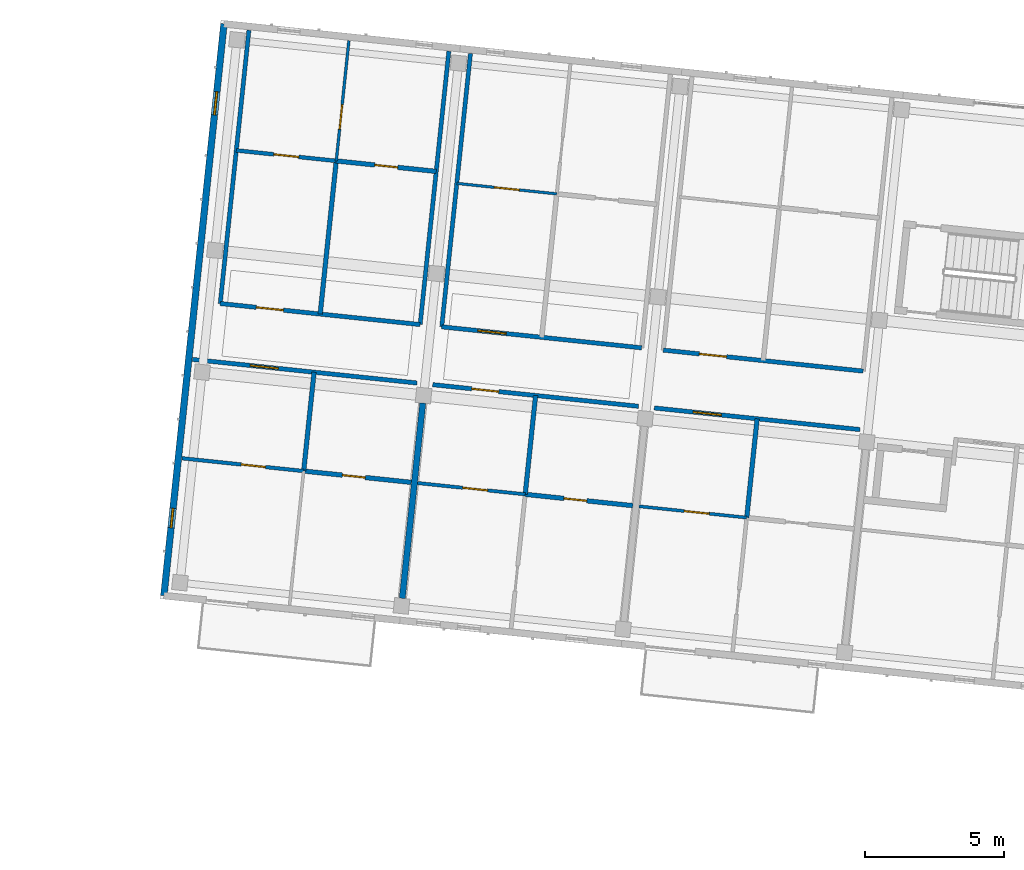
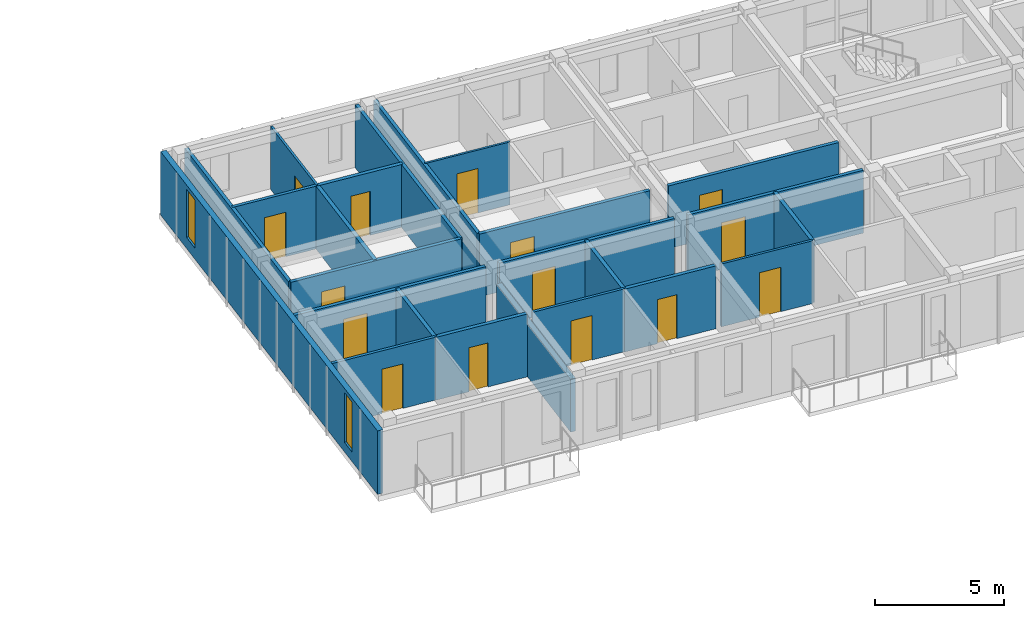
# One storey, part 32 of 66: 24 walls, 15 doors, 2 windows, 17 openings.
"""IFC4 building model written with IfcOpenShell, lengths in metres."""

from ifc_helpers import new_model, si_unit, direction, frame, frame_2d, origin, place, context, subcontext, project, spatial, rectangle, extrude, material, layer, layer_set, type_object, element, fill, save


model = new_model("IFC4")

# Units and contexts
model_context = context("Model", 3, precision=1e-05, world=origin(), true_north=direction((0.0, 1.0)))
body_context = subcontext(model_context, "Body", "Model", "MODEL_VIEW")
ifc_project = project(units=[si_unit("LENGTHUNIT", "METRE"), si_unit("AREAUNIT", "SQUARE_METRE"), si_unit("VOLUMEUNIT", "CUBIC_METRE"), si_unit("PLANEANGLEUNIT", "RADIAN"), si_unit("MASSUNIT", "GRAM", prefix="KILO")], contexts=[model_context])

# Site, building, storey
site_placement = place(None, origin())
site = spatial("IfcSite", under=ifc_project, at=site_placement, CompositionType="ELEMENT")
building_placement = place(site_placement, origin())
building = spatial("IfcBuilding", under=site, at=building_placement, Name="Kestramere Prow Commons", CompositionType="ELEMENT")
storey_placement = place(building_placement, frame((0.0, 0.0, 14.89990234375)))
storey = spatial("IfcBuildingStorey", under=building, at=storey_placement, Name="L04", CompositionType="ELEMENT", Elevation=14.89990234375)

# Wall, openings, windows
ifc_material_1 = material(Name="Fluoropolymer Standing-Seam Zinc-Aluminium Cladding", Category="aluminium")
ifc_layer_1 = layer(ifc_material_1, 0.239990234375)
ifc_layer_set_1 = layer_set([ifc_layer_1], Name="Fluoropolymer Standing-Seam Zinc-Aluminium Cladding")
wall_type_1 = type_object("IfcWallType", Name="EW-SEAM-240", PredefinedType="SOLIDWALL", material=ifc_layer_set_1)
wall_1_placement = place(storey_placement, frame((109.423095703125, 94.332763671875, 0.0), z_axis=(0.0, 0.0, 1.0), x_axis=(0.1045253859, 0.994522218808, 0.0)))
wall_1 = element("IfcWall", 1, at=wall_1_placement, inside=storey, type_object=wall_type_1, Name="Block B L04 EAV Facet Wall", PredefinedType="SOLIDWALL", context=body_context, shape_type="SweptSolid", body=[
    extrude(rectangle(XDim=20.64990234375, YDim=0.239990234375, at=frame_2d((10.324951171875, 0.0))), origin(), (0.0, 0.0, 1.0), 3.0),
])
opening_1_placement = place(wall_1_placement, frame((2.449951171875, 0.0, 0.449951171875)))
opening_1 = element("IfcOpeningElement", 2, at=opening_1_placement, cuts=wall_1, Name="Opening WN-07", PredefinedType="OPENING", context=body_context, shape_type="SweptSolid", body=[
    extrude(rectangle(XDim=0.699951171875, YDim=2.360107421875, at=frame_2d((0.35009765625, 1.18017578125))), frame((0.0, 0.135009765625, 0.0), z_axis=(0.0, -1.0, 0.0), x_axis=(1.0, 0.0, 0.0)), (0.0, 0.0, 1.0), 0.27001953125),
])
opening_2_placement = place(wall_1_placement, frame((17.360107421875, 0.0, 0.52001953125)))
opening_2 = element("IfcOpeningElement", 3, at=opening_2_placement, cuts=wall_1, Name="Opening WN-14", PredefinedType="OPENING", context=body_context, shape_type="SweptSolid", body=[
    extrude(rectangle(XDim=0.840087890625, YDim=2.280029296875, at=frame_2d((0.419921875, 1.14013671875))), frame((0.0, 0.135009765625, 0.0), z_axis=(0.0, -1.0, 0.0), x_axis=(1.0, 0.0, 0.0)), (0.0, 0.0, 1.0), 0.27001953125),
])
ifc_material_2 = material(Name="Low-E Laminated Double Glazing", Category="glass")
window_type_1 = type_object("IfcWindowType", Name="WN-NAR-700A", PartitioningType="SINGLE_PANEL", PredefinedType="WINDOW", material=ifc_material_2)
window_1_placement = place(opening_1_placement, origin())
window_1 = element("IfcWindow", 4, at=window_1_placement, inside=storey, type_object=window_type_1, Name="WN-B-L04-EAV-0", OverallHeight=2.360107421875, OverallWidth=0.699951171875, PartitioningType="SINGLE_PANEL", PredefinedType="WINDOW", context=body_context, shape_type="SweptSolid", body=[
    extrude(rectangle(XDim=0.699951171875, YDim=2.360107421875, at=frame_2d((0.35009765625, 1.18017578125))), frame((0.0, 0.030029296875, 0.0), z_axis=(0.0, -1.0, 0.0), x_axis=(1.0, 0.0, 0.0)), (0.0, 0.0, 1.0), 0.06005859375),
])
fill(opening_1, window_1)
window_type_2 = type_object("IfcWindowType", Name="WN-NAR-840A", PartitioningType="DOUBLE_PANEL_VERTICAL", PredefinedType="WINDOW", material=ifc_material_2)
window_2_placement = place(opening_2_placement, origin())
window_2 = element("IfcWindow", 5, at=window_2_placement, inside=storey, type_object=window_type_2, Name="WN-B-L04-EAV-1", OverallHeight=2.280029296875, OverallWidth=0.840087890625, PartitioningType="SINGLE_PANEL", PredefinedType="WINDOW", context=body_context, shape_type="SweptSolid", body=[
    extrude(rectangle(XDim=0.840087890625, YDim=2.280029296875, at=frame_2d((0.419921875, 1.14013671875))), frame((0.0, 0.030029296875, 0.0), z_axis=(0.0, -1.0, 0.0), x_axis=(1.0, 0.0, 0.0)), (0.0, 0.0, 1.0), 0.06005859375),
])
fill(opening_2, window_2)

# Wall, opening, door
ifc_material_3 = material(Name="Fire-Rated Calcium Silicate Wall")
ifc_layer_2 = layer(ifc_material_3, 0.155029296875)
ifc_layer_set_2 = layer_set([ifc_layer_2], Name="Fire-Rated Calcium Silicate Wall")
wall_type_2 = type_object("IfcWallType", Name="W-FIRE-150", PredefinedType="PARTITIONING", material=ifc_layer_set_2)
wall_2_placement = place(storey_placement, frame((110.445556640625, 102.8173828125, 0.0), z_axis=(0.0, 0.0, 1.0), x_axis=(0.994522594842, -0.104521808006, 0.0)))
wall_2 = element("IfcWall", 6, at=wall_2_placement, inside=storey, type_object=wall_type_2, Name="Interior Partition PW-B-L04-CS-0", PredefinedType="PARTITIONING", context=body_context, shape_type="SweptSolid", body=[
    extrude(rectangle(XDim=8.10986328125, YDim=0.155029296875, at=frame_2d((4.054931640625, 0.0))), origin(), (0.0, 0.0, 1.0), 2.97021484375),
])
opening_3_placement = place(wall_2_placement, frame((2.0849609375, 0.0, 0.0)))
opening_3 = element("IfcOpeningElement", 7, at=opening_3_placement, cuts=wall_2, Name="Opening ID-05", PredefinedType="OPENING", context=body_context, shape_type="SweptSolid", body=[
    extrude(rectangle(XDim=1.02001953125, YDim=2.199951171875, at=frame_2d((0.510009765625, 1.10009765625))), frame((0.0, 0.092529296875, 0.0), z_axis=(0.0, -1.0, 0.0), x_axis=(1.0, 0.0, 0.0)), (0.0, 0.0, 1.0), 0.18505859375),
])
ifc_material_4 = material(Name="Hardwood Fire-Rated Flat Entrance Door", Category="wood")
door_type_1 = type_object("IfcDoorType", Name="FD-ENT-02", OperationType="NOTDEFINED", PredefinedType="DOOR", material=ifc_material_4)
door_1_placement = place(opening_3_placement, origin())
door_1 = element("IfcDoor", 8, at=door_1_placement, inside=storey, type_object=door_type_1, Name="Interior Door DR-B-L04-ENT-S0", OperationType="SINGLE_SWING_LEFT", OverallHeight=2.199951171875, OverallWidth=1.02001953125, PredefinedType="DOOR", context=body_context, shape_type="SweptSolid", body=[
    extrude(rectangle(XDim=1.02001953125, YDim=2.199951171875, at=frame_2d((0.510009765625, 1.10009765625))), frame((0.0, 0.02490234375, 0.0), z_axis=(0.0, -1.0, 0.0), x_axis=(1.0, 0.0, 0.0)), (0.0, 0.0, 1.0), 0.050048828125),
])
fill(opening_3, door_1)

wall_3_placement = place(storey_placement, frame((119.077880859375, 101.91015625, 0.0), z_axis=(0.0, 0.0, 1.0), x_axis=(0.99451912784, -0.104554791185, 0.0)))
wall_3 = element("IfcWall", 9, at=wall_3_placement, inside=storey, type_object=wall_type_2, Name="Interior Partition PW-B-L04-CS-1", PredefinedType="PARTITIONING", context=body_context, shape_type="SweptSolid", body=[
    extrude(rectangle(XDim=7.43017578125, YDim=0.155029296875, at=frame_2d((3.715087890625, 0.0))), origin(), (0.0, 0.0, 1.0), 2.97021484375),
])
opening_4_placement = place(wall_3_placement, frame((1.405029296875, 0.0, 0.0)))
opening_4 = element("IfcOpeningElement", 10, at=opening_4_placement, cuts=wall_3, Name="Opening ID-04", PredefinedType="OPENING", context=body_context, shape_type="SweptSolid", body=[
    extrude(rectangle(XDim=0.97998046875, YDim=2.14990234375, at=frame_2d((0.489990234375, 1.074951171875))), frame((0.0, 0.092529296875, 0.0), z_axis=(0.0, -1.0, 0.0), x_axis=(1.0, 0.0, 0.0)), (0.0, 0.0, 1.0), 0.18505859375),
])
door_type_2 = type_object("IfcDoorType", Name="FD-ENT-01", OperationType="NOTDEFINED", PredefinedType="DOOR", material=ifc_material_4)
door_2_placement = place(opening_4_placement, origin())
door_2 = element("IfcDoor", 11, at=door_2_placement, inside=storey, type_object=door_type_2, Name="Interior Door DR-B-L04-ENT-S1", OperationType="SINGLE_SWING_RIGHT", OverallHeight=2.14990234375, OverallWidth=0.97998046875, PredefinedType="DOOR", context=body_context, shape_type="SweptSolid", body=[
    extrude(rectangle(XDim=0.97998046875, YDim=2.14990234375, at=frame_2d((0.489990234375, 1.074951171875))), frame((0.0, 0.02490234375, 0.0), z_axis=(0.0, -1.0, 0.0), x_axis=(1.0, 0.0, 0.0)), (0.0, 0.0, 1.0), 0.050048828125),
])
fill(opening_4, door_2)

wall_4_placement = place(storey_placement, frame((127.0341796875, 101.07373046875, 0.0), z_axis=(0.0, 0.0, 1.0), x_axis=(0.994522184982, -0.104525707739, 0.0)))
wall_4 = element("IfcWall", 12, at=wall_4_placement, inside=storey, type_object=wall_type_2, Name="Interior Partition PW-B-L04-CS-2", PredefinedType="PARTITIONING", context=body_context, shape_type="SweptSolid", body=[
    extrude(rectangle(XDim=7.429931640625, YDim=0.155029296875, at=frame_2d((3.71484375, 0.0))), origin(), (0.0, 0.0, 1.0), 2.97021484375),
])
opening_5_placement = place(wall_4_placement, frame((1.405029296875, 0.0, 0.0)))
opening_5 = element("IfcOpeningElement", 13, at=opening_5_placement, cuts=wall_4, Name="Opening ID-05", PredefinedType="OPENING", context=body_context, shape_type="SweptSolid", body=[
    extrude(rectangle(XDim=1.02001953125, YDim=2.199951171875, at=frame_2d((0.510009765625, 1.10009765625))), frame((0.0, 0.092529296875, 0.0), z_axis=(0.0, -1.0, 0.0), x_axis=(1.0, 0.0, 0.0)), (0.0, 0.0, 1.0), 0.18505859375),
])
door_3_placement = place(opening_5_placement, origin())
door_3 = element("IfcDoor", 14, at=door_3_placement, inside=storey, type_object=door_type_1, Name="Interior Door DR-B-L04-ENT-S2", OperationType="SINGLE_SWING_LEFT", OverallHeight=2.199951171875, OverallWidth=1.02001953125, PredefinedType="DOOR", context=body_context, shape_type="SweptSolid", body=[
    extrude(rectangle(XDim=1.02001953125, YDim=2.199951171875, at=frame_2d((0.510009765625, 1.10009765625))), frame((0.0, 0.02490234375, 0.0), z_axis=(0.0, -1.0, 0.0), x_axis=(1.0, 0.0, 0.0)), (0.0, 0.0, 1.0), 0.050048828125),
])
fill(opening_5, door_3)

wall_5_placement = place(storey_placement, frame((111.44580078125, 104.82373046875, 0.0), z_axis=(0.0, 0.0, 1.0), x_axis=(0.994522671024, -0.104521083137, 0.0)))
wall_5 = element("IfcWall", 15, at=wall_5_placement, inside=storey, type_object=wall_type_2, Name="Interior Partition PW-B-L04-CN-0", PredefinedType="PARTITIONING", context=body_context, shape_type="SweptSolid", body=[
    extrude(rectangle(XDim=7.219970703125, YDim=0.155029296875, at=frame_2d((3.60986328125, 0.0))), origin(), (0.0, 0.0, 1.0), 2.97021484375),
])
opening_6_placement = place(wall_5_placement, frame((1.304931640625, 0.0, 0.0)))
opening_6 = element("IfcOpeningElement", 16, at=opening_6_placement, cuts=wall_5, Name="Opening ID-04", PredefinedType="OPENING", context=body_context, shape_type="SweptSolid", body=[
    extrude(rectangle(XDim=0.97998046875, YDim=2.14990234375, at=frame_2d((0.489990234375, 1.074951171875))), frame((0.0, 0.092529296875, 0.0), z_axis=(0.0, -1.0, 0.0), x_axis=(1.0, 0.0, 0.0)), (0.0, 0.0, 1.0), 0.18505859375),
])
door_4_placement = place(opening_6_placement, origin())
door_4 = element("IfcDoor", 17, at=door_4_placement, inside=storey, type_object=door_type_2, Name="Interior Door DR-B-L04-ENT-N0", OperationType="SINGLE_SWING_RIGHT", OverallHeight=2.14990234375, OverallWidth=0.97998046875, PredefinedType="DOOR", context=body_context, shape_type="SweptSolid", body=[
    extrude(rectangle(XDim=0.97998046875, YDim=2.14990234375, at=frame_2d((0.489990234375, 1.074951171875))), frame((0.0, 0.02490234375, 0.0), z_axis=(0.0, -1.0, 0.0), x_axis=(1.0, 0.0, 0.0)), (0.0, 0.0, 1.0), 0.050048828125),
])
fill(opening_6, door_4)

wall_6_placement = place(storey_placement, frame((119.40185546875, 103.987548828125, 0.0), z_axis=(0.0, 0.0, 1.0), x_axis=(0.994522671024, -0.104521083137, 0.0)))
wall_6 = element("IfcWall", 18, at=wall_6_placement, inside=storey, type_object=wall_type_2, Name="Interior Partition PW-B-L04-CN-1", PredefinedType="PARTITIONING", context=body_context, shape_type="SweptSolid", body=[
    extrude(rectangle(XDim=7.219970703125, YDim=0.155029296875, at=frame_2d((3.60986328125, 0.0))), origin(), (0.0, 0.0, 1.0), 2.97021484375),
])
opening_7_placement = place(wall_6_placement, frame((1.304931640625, 0.0, 0.0)))
opening_7 = element("IfcOpeningElement", 19, at=opening_7_placement, cuts=wall_6, Name="Opening ID-05", PredefinedType="OPENING", context=body_context, shape_type="SweptSolid", body=[
    extrude(rectangle(XDim=1.02001953125, YDim=2.199951171875, at=frame_2d((0.510009765625, 1.10009765625))), frame((0.0, 0.092529296875, 0.0), z_axis=(0.0, -1.0, 0.0), x_axis=(1.0, 0.0, 0.0)), (0.0, 0.0, 1.0), 0.18505859375),
])
door_5_placement = place(opening_7_placement, origin())
door_5 = element("IfcDoor", 20, at=door_5_placement, inside=storey, type_object=door_type_1, Name="Interior Door DR-B-L04-ENT-N1", OperationType="SINGLE_SWING_LEFT", OverallHeight=2.199951171875, OverallWidth=1.02001953125, PredefinedType="DOOR", context=body_context, shape_type="SweptSolid", body=[
    extrude(rectangle(XDim=1.02001953125, YDim=2.199951171875, at=frame_2d((0.510009765625, 1.10009765625))), frame((0.0, 0.02490234375, 0.0), z_axis=(0.0, -1.0, 0.0), x_axis=(1.0, 0.0, 0.0)), (0.0, 0.0, 1.0), 0.050048828125),
])
fill(opening_7, door_5)

wall_7_placement = place(storey_placement, frame((127.358154296875, 103.1513671875, 0.0), z_axis=(0.0, 0.0, 1.0), x_axis=(0.994522671024, -0.104521083137, 0.0)))
wall_7 = element("IfcWall", 21, at=wall_7_placement, inside=storey, type_object=wall_type_2, Name="Interior Partition PW-B-L04-CN-2", PredefinedType="PARTITIONING", context=body_context, shape_type="SweptSolid", body=[
    extrude(rectangle(XDim=7.219970703125, YDim=0.155029296875, at=frame_2d((3.60986328125, 0.0))), origin(), (0.0, 0.0, 1.0), 2.97021484375),
])
opening_8_placement = place(wall_7_placement, frame((1.304931640625, 0.0, 0.0)))
opening_8 = element("IfcOpeningElement", 22, at=opening_8_placement, cuts=wall_7, Name="Opening ID-04", PredefinedType="OPENING", context=body_context, shape_type="SweptSolid", body=[
    extrude(rectangle(XDim=0.97998046875, YDim=2.14990234375, at=frame_2d((0.489990234375, 1.074951171875))), frame((0.0, 0.092529296875, 0.0), z_axis=(0.0, -1.0, 0.0), x_axis=(1.0, 0.0, 0.0)), (0.0, 0.0, 1.0), 0.18505859375),
])
door_6_placement = place(opening_8_placement, origin())
door_6 = element("IfcDoor", 23, at=door_6_placement, inside=storey, type_object=door_type_2, Name="Interior Door DR-B-L04-ENT-N2", OperationType="SINGLE_SWING_RIGHT", OverallHeight=2.14990234375, OverallWidth=0.97998046875, PredefinedType="DOOR", context=body_context, shape_type="SweptSolid", body=[
    extrude(rectangle(XDim=0.97998046875, YDim=2.14990234375, at=frame_2d((0.489990234375, 1.074951171875))), frame((0.0, 0.02490234375, 0.0), z_axis=(0.0, -1.0, 0.0), x_axis=(1.0, 0.0, 0.0)), (0.0, 0.0, 1.0), 0.050048828125),
])
fill(opening_8, door_6)

ifc_material_5 = material(Name="Gypsum Acoustic Drywall")
ifc_layer_3 = layer(ifc_material_5, 0.10009765625)
ifc_layer_set_3 = layer_set([ifc_layer_3], Name="Gypsum Acoustic Drywall")
wall_type_3 = type_object("IfcWallType", Name="W-PART-100", PredefinedType="PARTITIONING", material=ifc_layer_set_3)
wall_8_placement = place(storey_placement, frame((115.614013671875, 109.946044921875, 0.0), z_axis=(0.0, 0.0, 1.0), x_axis=(0.104514950243, 0.994523315552, 0.0)))
wall_8 = element("IfcWall", 24, at=wall_8_placement, inside=storey, type_object=wall_type_3, Name="Interior Partition PW-B-L04-LB-N0", PredefinedType="PARTITIONING", context=body_context, shape_type="SweptSolid", body=[
    extrude(rectangle(XDim=4.340087890625, YDim=0.10009765625, at=frame_2d((2.169921875, 0.0))), origin(), (0.0, 0.0, 1.0), 2.97021484375),
])
opening_9_placement = place(wall_8_placement, frame((1.14990234375, 0.0, 0.0)))
opening_9 = element("IfcOpeningElement", 25, at=opening_9_placement, cuts=wall_8, Name="Opening ID-10", PredefinedType="OPENING", context=body_context, shape_type="SweptSolid", body=[
    extrude(rectangle(XDim=0.8798828125, YDim=2.10009765625, at=frame_2d((0.43994140625, 1.050048828125))), frame((0.0, 0.06494140625, 0.0), z_axis=(0.0, -1.0, 0.0), x_axis=(1.0, 0.0, 0.0)), (0.0, 0.0, 1.0), 0.130126953125),
])
ifc_material_6 = material(Name="Engineered Timber Bedroom Door", Category="wood")
door_type_3 = type_object("IfcDoorType", Name="D-RM-03", OperationType="NOTDEFINED", PredefinedType="DOOR", material=ifc_material_6)
door_7_placement = place(opening_9_placement, origin())
door_7 = element("IfcDoor", 26, at=door_7_placement, inside=storey, type_object=door_type_3, Name="Interior Door DR-B-L04-BED-N0", OperationType="SINGLE_SWING_LEFT", OverallHeight=2.10009765625, OverallWidth=0.8798828125, PredefinedType="DOOR", context=body_context, shape_type="SweptSolid", body=[
    extrude(rectangle(XDim=0.8798828125, YDim=2.10009765625, at=frame_2d((0.43994140625, 1.050048828125))), frame((0.0, 0.02490234375, 0.0), z_axis=(0.0, -1.0, 0.0), x_axis=(1.0, 0.0, 0.0)), (0.0, 0.0, 1.0), 0.050048828125),
])
fill(opening_9, door_7)

ifc_layer_4 = layer(ifc_material_5, 0.110107421875)
ifc_layer_set_4 = layer_set([ifc_layer_4], Name="Gypsum Acoustic Drywall")
wall_type_4 = type_object("IfcWallType", Name="W-PART-110", PredefinedType="PARTITIONING", material=ifc_layer_set_4)
wall_9_placement = place(storey_placement, frame((126.491943359375, 97.541259765625, 0.0), z_axis=(0.0, 0.0, 1.0), x_axis=(0.994517154753, -0.104573557378, 0.0)))
wall_9 = element("IfcWall", 27, at=wall_9_placement, inside=storey, type_object=wall_type_4, Name="Interior Partition PW-B-L04-MIDS1-2", PredefinedType="PARTITIONING", context=body_context, shape_type="SweptSolid", body=[
    extrude(rectangle(XDim=3.884765625, YDim=0.110107421875, at=frame_2d((1.9423828125, 0.0))), origin(), (0.0, 0.0, 1.0), 2.97021484375),
])
opening_10_placement = place(wall_9_placement, frame((1.625, 0.0, 0.0)))
opening_10 = element("IfcOpeningElement", 28, at=opening_10_placement, cuts=wall_9, Name="Opening ID-08", PredefinedType="OPENING", context=body_context, shape_type="SweptSolid", body=[
    extrude(rectangle(XDim=0.89990234375, YDim=2.10009765625, at=frame_2d((0.449951171875, 1.050048828125))), frame((0.0, 0.070068359375, 0.0), z_axis=(0.0, -1.0, 0.0), x_axis=(1.0, 0.0, 0.0)), (0.0, 0.0, 1.0), 0.14013671875),
])
ifc_material_7 = material(Name="Engineered Timber Flush Door", Category="wood")
door_type_4 = type_object("IfcDoorType", Name="D-RM-01", OperationType="NOTDEFINED", PredefinedType="DOOR", material=ifc_material_7)
door_8_placement = place(opening_10_placement, origin())
door_8 = element("IfcDoor", 29, at=door_8_placement, inside=storey, type_object=door_type_4, Name="Interior Door DR-B-L04-KL-S2", OperationType="SINGLE_SWING_RIGHT", OverallHeight=2.10009765625, OverallWidth=0.89990234375, PredefinedType="DOOR", context=body_context, shape_type="SweptSolid", body=[
    extrude(rectangle(XDim=0.89990234375, YDim=2.10009765625, at=frame_2d((0.449951171875, 1.050048828125))), frame((0.0, 0.02490234375, 0.0), z_axis=(0.0, -1.0, 0.0), x_axis=(1.0, 0.0, 0.0)), (0.0, 0.0, 1.0), 0.050048828125),
])
fill(opening_10, door_8)

ifc_material_8 = material(Name="Lightweight Blockwork and Plaster", Category="masonry")
ifc_layer_5 = layer(ifc_material_8, 0.1201171875)
ifc_layer_set_5 = layer_set([ifc_layer_5], Name="Lightweight Blockwork and Plaster")
wall_type_5 = type_object("IfcWallType", Name="W-PART-120", PredefinedType="PARTITIONING", material=ifc_layer_set_5)
wall_10_placement = place(storey_placement, frame((118.53564453125, 98.37744140625, 0.0), z_axis=(0.0, 0.0, 1.0), x_axis=(0.994517841934, -0.104567021925, 0.0)))
wall_10 = element("IfcWall", 30, at=wall_10_placement, inside=storey, type_object=wall_type_5, Name="Interior Partition PW-B-L04-MIDS1-1", PredefinedType="PARTITIONING", context=body_context, shape_type="SweptSolid", body=[
    extrude(rectangle(XDim=3.885009765625, YDim=0.1201171875, at=frame_2d((1.9423828125, 0.0))), origin(), (0.0, 0.0, 1.0), 2.97021484375),
])
opening_11_placement = place(wall_10_placement, frame((1.625, 0.0, 0.0)))
opening_11 = element("IfcOpeningElement", 31, at=opening_11_placement, cuts=wall_10, Name="Opening ID-08", PredefinedType="OPENING", context=body_context, shape_type="SweptSolid", body=[
    extrude(rectangle(XDim=0.89990234375, YDim=2.10009765625, at=frame_2d((0.449951171875, 1.050048828125))), frame((0.0, 0.074951171875, 0.0), z_axis=(0.0, -1.0, 0.0), x_axis=(1.0, 0.0, 0.0)), (0.0, 0.0, 1.0), 0.150146484375),
])
door_9_placement = place(opening_11_placement, origin())
door_9 = element("IfcDoor", 32, at=door_9_placement, inside=storey, type_object=door_type_4, Name="Interior Door DR-B-L04-KL-S1", OperationType="SINGLE_SWING_RIGHT", OverallHeight=2.10009765625, OverallWidth=0.89990234375, PredefinedType="DOOR", context=body_context, shape_type="SweptSolid", body=[
    extrude(rectangle(XDim=0.89990234375, YDim=2.10009765625, at=frame_2d((0.449951171875, 1.050048828125))), frame((0.0, 0.02490234375, 0.0), z_axis=(0.0, -1.0, 0.0), x_axis=(1.0, 0.0, 0.0)), (0.0, 0.0, 1.0), 0.050048828125),
])
fill(opening_11, door_9)

ifc_layer_6 = layer(ifc_material_8, 0.1298828125)
ifc_layer_set_6 = layer_set([ifc_layer_6], Name="Lightweight Blockwork and Plaster")
wall_type_6 = type_object("IfcWallType", Name="W-PART-130", PredefinedType="PARTITIONING", material=ifc_layer_set_6)
wall_11_placement = place(storey_placement, frame((110.072265625, 99.266845703125, 0.0), z_axis=(0.0, 0.0, 1.0), x_axis=(0.994526434513, -0.104485267165, 0.0)))
wall_11 = element("IfcWall", 33, at=wall_11_placement, inside=storey, type_object=wall_type_6, Name="Interior Partition PW-B-L04-MIDS1-0", PredefinedType="PARTITIONING", context=body_context, shape_type="SweptSolid", body=[
    extrude(rectangle(XDim=4.395263671875, YDim=0.1298828125, at=frame_2d((2.19775390625, 0.0))), origin(), (0.0, 0.0, 1.0), 2.97021484375),
])
opening_12_placement = place(wall_11_placement, frame((2.135009765625, 0.0, 0.0)))
opening_12 = element("IfcOpeningElement", 34, at=opening_12_placement, cuts=wall_11, Name="Opening ID-10", PredefinedType="OPENING", context=body_context, shape_type="SweptSolid", body=[
    extrude(rectangle(XDim=0.8798828125, YDim=2.10009765625, at=frame_2d((0.43994140625, 1.050048828125))), frame((0.0, 0.079833984375, 0.0), z_axis=(0.0, -1.0, 0.0), x_axis=(1.0, 0.0, 0.0)), (0.0, 0.0, 1.0), 0.159912109375),
])
door_10_placement = place(opening_12_placement, origin())
door_10 = element("IfcDoor", 35, at=door_10_placement, inside=storey, type_object=door_type_3, Name="Interior Door DR-B-L04-KL-S0", OperationType="SINGLE_SWING_RIGHT", OverallHeight=2.10009765625, OverallWidth=0.8798828125, PredefinedType="DOOR", context=body_context, shape_type="SweptSolid", body=[
    extrude(rectangle(XDim=0.8798828125, YDim=2.10009765625, at=frame_2d((0.43994140625, 1.050048828125))), frame((0.0, 0.02490234375, 0.0), z_axis=(0.0, -1.0, 0.0), x_axis=(1.0, 0.0, 0.0)), (0.0, 0.0, 1.0), 0.050048828125),
])
fill(opening_12, door_10)

ifc_material_9 = material(Name="Masonry Compartment Wall", Category="masonry")
ifc_layer_7 = layer(ifc_material_9, 0.139892578125)
ifc_layer_set_7 = layer_set([ifc_layer_7], Name="Masonry Compartment Wall")
wall_type_7 = type_object("IfcWallType", Name="W-PART-140", PredefinedType="PARTITIONING", material=ifc_layer_set_7)
wall_12_placement = place(storey_placement, frame((112.023681640625, 110.323486328125, 0.0), z_axis=(0.0, 0.0, 1.0), x_axis=(0.994519525119, -0.104551012229, 0.0)))
wall_12 = element("IfcWall", 36, at=wall_12_placement, inside=storey, type_object=wall_type_7, Name="Interior Partition PW-B-L04-MIDN1-0", PredefinedType="PARTITIONING", context=body_context, shape_type="SweptSolid", body=[
    extrude(rectangle(XDim=3.610107421875, YDim=0.139892578125, at=frame_2d((1.80517578125, 0.0))), origin(), (0.0, 0.0, 1.0), 2.97021484375),
])
opening_13_placement = place(wall_12_placement, frame((1.35498046875, 0.0, 0.0)))
opening_13 = element("IfcOpeningElement", 37, at=opening_13_placement, cuts=wall_12, Name="Opening ID-08", PredefinedType="OPENING", context=body_context, shape_type="SweptSolid", body=[
    extrude(rectangle(XDim=0.89990234375, YDim=2.10009765625, at=frame_2d((0.449951171875, 1.050048828125))), frame((0.0, 0.0849609375, 0.0), z_axis=(0.0, -1.0, 0.0), x_axis=(1.0, 0.0, 0.0)), (0.0, 0.0, 1.0), 0.169921875),
])
door_11_placement = place(opening_13_placement, origin())
door_11 = element("IfcDoor", 38, at=door_11_placement, inside=storey, type_object=door_type_4, Name="Interior Door DR-B-L04-KL-N0", OperationType="SINGLE_SWING_LEFT", OverallHeight=2.10009765625, OverallWidth=0.89990234375, PredefinedType="DOOR", context=body_context, shape_type="SweptSolid", body=[
    extrude(rectangle(XDim=0.89990234375, YDim=2.10009765625, at=frame_2d((0.449951171875, 1.050048828125))), frame((0.0, 0.02490234375, 0.0), z_axis=(0.0, -1.0, 0.0), x_axis=(1.0, 0.0, 0.0)), (0.0, 0.0, 1.0), 0.050048828125),
])
fill(opening_13, door_11)

# Walls
ifc_layer_8 = layer(ifc_material_9, 0.14990234375)
ifc_layer_set_8 = layer_set([ifc_layer_8], Name="Masonry Compartment Wall")
wall_type_8 = type_object("IfcWallType", Name="W-PART-150", PredefinedType="PARTITIONING", material=ifc_layer_set_8)
for number, where, z_axis, x_axis, name in (
    (39, (111.44580078125, 104.82373046875, 0.0), (0.0, 0.0, 1.0), (0.104508379977, 0.994524006002, 0.0), "Interior Partition PW-B-L04-NWL-0"),
    (40, (118.626220703125, 104.069091796875, 0.0), (0.0, 0.0, 1.0), (0.104508379977, 0.994524006002, 0.0), "Interior Partition PW-B-L04-NWR-0"),
    (41, (119.40185546875, 103.987548828125, 0.0), (0.0, 0.0, 1.0), (0.10453284543, 0.994521434775, 0.0), "Interior Partition PW-B-L04-NWL-1"),
):
    element("IfcWall", number, at=place(storey_placement, frame(where, z_axis=z_axis, x_axis=x_axis)), inside=storey, type_object=wall_type_8, Name=name, PredefinedType="PARTITIONING", context=body_context, shape_type="SweptSolid", body=[
        extrude(rectangle(XDim=9.869873046875, YDim=0.14990234375, at=frame_2d((4.93505859375, 0.0))), origin(), (0.0, 0.0, 1.0), 2.97021484375),
    ])

# Wall, opening, door
ifc_layer_9 = layer(ifc_material_5, 0.094970703125)
ifc_layer_set_9 = layer_set([ifc_layer_9], Name="Gypsum Acoustic Drywall")
wall_type_9 = type_object("IfcWallType", Name="W-PART-95", PredefinedType="PARTITIONING", material=ifc_layer_set_9)
wall_13_placement = place(storey_placement, frame((119.943359375, 109.13916015625, 0.0), z_axis=(0.0, 0.0, 1.0), x_axis=(0.994525816262, -0.104491151726, 0.0)))
wall_13 = element("IfcWall", 42, at=wall_13_placement, inside=storey, type_object=wall_type_9, Name="Interior Partition PW-B-L04-MIDN1-1", PredefinedType="PARTITIONING", context=body_context, shape_type="SweptSolid", body=[
    extrude(rectangle(XDim=3.60986328125, YDim=0.094970703125, at=frame_2d((1.804931640625, 0.0))), origin(), (0.0, 0.0, 1.0), 2.97021484375),
])
opening_14_placement = place(wall_13_placement, frame((1.35498046875, 0.0, 0.0)))
opening_14 = element("IfcOpeningElement", 43, at=opening_14_placement, cuts=wall_13, Name="Opening ID-08", PredefinedType="OPENING", context=body_context, shape_type="SweptSolid", body=[
    extrude(rectangle(XDim=0.89990234375, YDim=2.10009765625, at=frame_2d((0.449951171875, 1.050048828125))), frame((0.0, 0.0625, 0.0), z_axis=(0.0, -1.0, 0.0), x_axis=(1.0, 0.0, 0.0)), (0.0, 0.0, 1.0), 0.125),
])
door_12_placement = place(opening_14_placement, origin())
door_12 = element("IfcDoor", 44, at=door_12_placement, inside=storey, type_object=door_type_4, Name="Interior Door DR-B-L04-KL-N1", OperationType="SINGLE_SWING_LEFT", OverallHeight=2.10009765625, OverallWidth=0.89990234375, PredefinedType="DOOR", context=body_context, shape_type="SweptSolid", body=[
    extrude(rectangle(XDim=0.89990234375, YDim=2.10009765625, at=frame_2d((0.449951171875, 1.050048828125))), frame((0.0, 0.02490234375, 0.0), z_axis=(0.0, -1.0, 0.0), x_axis=(1.0, 0.0, 0.0)), (0.0, 0.0, 1.0), 0.050048828125),
])
fill(opening_14, door_12)

ifc_material_10 = material(Name="Waterproof Sanitary Masonry Wall", Category="masonry")
ifc_layer_10 = layer(ifc_material_10, 0.1650390625)
ifc_layer_set_10 = layer_set([ifc_layer_10], Name="Waterproof Sanitary Masonry Wall")
wall_type_10 = type_object("IfcWallType", Name="W-PLUMB-150", PredefinedType="PLUMBINGWALL", material=ifc_layer_set_10)
wall_14_placement = place(storey_placement, frame((114.443359375, 98.8076171875, 0.0), z_axis=(0.0, 0.0, 1.0), x_axis=(0.994517154753, -0.104573557378, 0.0)))
wall_14 = element("IfcWall", 45, at=wall_14_placement, inside=storey, type_object=wall_type_10, Name="Interior Partition PW-B-L04-MIDS2-0", PredefinedType="PLUMBINGWALL", context=body_context, shape_type="SweptSolid", body=[
    extrude(rectangle(XDim=3.884765625, YDim=0.1650390625, at=frame_2d((1.9423828125, 0.0))), origin(), (0.0, 0.0, 1.0), 2.97021484375),
])
opening_15_placement = place(wall_14_placement, frame((1.39990234375, 0.0, 0.0)))
opening_15 = element("IfcOpeningElement", 46, at=opening_15_placement, cuts=wall_14, Name="Opening ID-11", PredefinedType="OPENING", context=body_context, shape_type="SweptSolid", body=[
    extrude(rectangle(XDim=0.820068359375, YDim=2.080078125, at=frame_2d((0.41015625, 1.0400390625))), frame((0.0, 0.097412109375, 0.0), z_axis=(0.0, -1.0, 0.0), x_axis=(1.0, 0.0, 0.0)), (0.0, 0.0, 1.0), 0.195068359375),
])
ifc_material_11 = material(Name="Moisture-Resistant Timber Bathroom Door", Category="wood")
door_type_5 = type_object("IfcDoorType", Name="D-BT-01", OperationType="NOTDEFINED", PredefinedType="DOOR", material=ifc_material_11)
door_13_placement = place(opening_15_placement, origin())
door_13 = element("IfcDoor", 47, at=door_13_placement, inside=storey, type_object=door_type_5, Name="Interior Door DR-B-L04-BTH-S0", OperationType="SINGLE_SWING_LEFT", OverallHeight=2.080078125, OverallWidth=0.820068359375, PredefinedType="DOOR", context=body_context, shape_type="SweptSolid", body=[
    extrude(rectangle(XDim=0.820068359375, YDim=2.080078125, at=frame_2d((0.41015625, 1.0400390625))), frame((0.0, 0.02490234375, 0.0), z_axis=(0.0, -1.0, 0.0), x_axis=(1.0, 0.0, 0.0)), (0.0, 0.0, 1.0), 0.050048828125),
])
fill(opening_15, door_13)

# Wall
wall_15_placement = place(storey_placement, frame((114.443359375, 98.8076171875, 0.0), z_axis=(0.0, 0.0, 1.0), x_axis=(0.104499661737, 0.994524922109, 0.0)))
element("IfcWall", 48, at=wall_15_placement, inside=storey, type_object=wall_type_10, Name="Interior Partition PW-B-L04-KB-S0", PredefinedType="PLUMBINGWALL", context=body_context, shape_type="SweptSolid", body=[
    extrude(rectangle(XDim=3.56982421875, YDim=0.1650390625, at=frame_2d((1.784912109375, 0.0))), origin(), (0.0, 0.0, 1.0), 2.97021484375),
])

# Wall, opening, door
wall_16_placement = place(storey_placement, frame((122.3994140625, 97.97119140625, 0.0), z_axis=(0.0, 0.0, 1.0), x_axis=(0.994524375082, -0.104504867671, 0.0)))
wall_16 = element("IfcWall", 49, at=wall_16_placement, inside=storey, type_object=wall_type_10, Name="Interior Partition PW-B-L04-MIDS2-1", PredefinedType="PLUMBINGWALL", context=body_context, shape_type="SweptSolid", body=[
    extrude(rectangle(XDim=3.885009765625, YDim=0.1650390625, at=frame_2d((1.9423828125, 0.0))), origin(), (0.0, 0.0, 1.0), 2.97021484375),
])
opening_16_placement = place(wall_16_placement, frame((1.39990234375, 0.0, 0.0)))
opening_16 = element("IfcOpeningElement", 50, at=opening_16_placement, cuts=wall_16, Name="Opening ID-11", PredefinedType="OPENING", context=body_context, shape_type="SweptSolid", body=[
    extrude(rectangle(XDim=0.820068359375, YDim=2.080078125, at=frame_2d((0.41015625, 1.0400390625))), frame((0.0, 0.097412109375, 0.0), z_axis=(0.0, -1.0, 0.0), x_axis=(1.0, 0.0, 0.0)), (0.0, 0.0, 1.0), 0.195068359375),
])
door_14_placement = place(opening_16_placement, origin())
door_14 = element("IfcDoor", 51, at=door_14_placement, inside=storey, type_object=door_type_5, Name="Interior Door DR-B-L04-BTH-S1", OperationType="SINGLE_SWING_LEFT", OverallHeight=2.080078125, OverallWidth=0.820068359375, PredefinedType="DOOR", context=body_context, shape_type="SweptSolid", body=[
    extrude(rectangle(XDim=0.820068359375, YDim=2.080078125, at=frame_2d((0.41015625, 1.0400390625))), frame((0.0, 0.02490234375, 0.0), z_axis=(0.0, -1.0, 0.0), x_axis=(1.0, 0.0, 0.0)), (0.0, 0.0, 1.0), 0.050048828125),
])
fill(opening_16, door_14)

# Walls
for number, where, z_axis, x_axis, name in (
    (52, (122.3994140625, 97.97119140625, 0.0), (0.0, 0.0, 1.0), (0.104492554633, 0.994525668862, 0.0), "Interior Partition PW-B-L04-KB-S1"),
    (53, (130.35546875, 97.135009765625, 0.0), (0.0, 0.0, 1.0), (0.10456019241, 0.994518559989, 0.0), "Interior Partition PW-B-L04-KB-S2"),
):
    element("IfcWall", number, at=place(storey_placement, frame(where, z_axis=z_axis, x_axis=x_axis)), inside=storey, type_object=wall_type_10, Name=name, PredefinedType="PLUMBINGWALL", context=body_context, shape_type="SweptSolid", body=[
        extrude(rectangle(XDim=3.570068359375, YDim=0.1650390625, at=frame_2d((1.78515625, 0.0))), origin(), (0.0, 0.0, 1.0), 2.97021484375),
    ])

# Wall, opening, door
wall_17_placement = place(storey_placement, frame((115.614013671875, 109.946044921875, 0.0), z_axis=(0.0, 0.0, 1.0), x_axis=(0.994525816262, -0.104491151726, 0.0)))
wall_17 = element("IfcWall", 54, at=wall_17_placement, inside=storey, type_object=wall_type_10, Name="Interior Partition PW-B-L04-MIDN2-0", PredefinedType="PLUMBINGWALL", context=body_context, shape_type="SweptSolid", body=[
    extrude(rectangle(XDim=3.60986328125, YDim=0.1650390625, at=frame_2d((1.804931640625, 0.0))), origin(), (0.0, 0.0, 1.0), 2.97021484375),
])
opening_17_placement = place(wall_17_placement, frame((1.39501953125, 0.0, 0.0)))
opening_17 = element("IfcOpeningElement", 55, at=opening_17_placement, cuts=wall_17, Name="Opening ID-11", PredefinedType="OPENING", context=body_context, shape_type="SweptSolid", body=[
    extrude(rectangle(XDim=0.820068359375, YDim=2.080078125, at=frame_2d((0.41015625, 1.0400390625))), frame((0.0, 0.097412109375, 0.0), z_axis=(0.0, -1.0, 0.0), x_axis=(1.0, 0.0, 0.0)), (0.0, 0.0, 1.0), 0.195068359375),
])
door_15_placement = place(opening_17_placement, origin())
door_15 = element("IfcDoor", 56, at=door_15_placement, inside=storey, type_object=door_type_5, Name="Interior Door DR-B-L04-BTH-N0", OperationType="SINGLE_SWING_RIGHT", OverallHeight=2.080078125, OverallWidth=0.820068359375, PredefinedType="DOOR", context=body_context, shape_type="SweptSolid", body=[
    extrude(rectangle(XDim=0.820068359375, YDim=2.080078125, at=frame_2d((0.41015625, 1.0400390625))), frame((0.0, 0.02490234375, 0.0), z_axis=(0.0, -1.0, 0.0), x_axis=(1.0, 0.0, 0.0)), (0.0, 0.0, 1.0), 0.050048828125),
])
fill(opening_17, door_15)

# Walls
wall_18_placement = place(storey_placement, frame((115.035888671875, 104.446533203125, 0.0), z_axis=(0.0, 0.0, 1.0), x_axis=(0.104546890769, 0.994519958387, 0.0)))
element("IfcWall", 57, at=wall_18_placement, inside=storey, type_object=wall_type_10, Name="Interior Partition PW-B-L04-KB-N0", PredefinedType="PLUMBINGWALL", context=body_context, shape_type="SweptSolid", body=[
    extrude(rectangle(XDim=5.52978515625, YDim=0.1650390625, at=frame_2d((2.764892578125, 0.0))), origin(), (0.0, 0.0, 1.0), 2.97021484375),
])
ifc_material_12 = material(Name="Precast concrete C40/50", Category="concrete")
ifc_layer_11 = layer(ifc_material_12, 0.219970703125)
ifc_layer_set_11 = layer_set([ifc_layer_11], Name="Precast concrete C40/50")
wall_type_11 = type_object("IfcWallType", Name="W-XWALL-220", PredefinedType="SHEAR", material=ifc_layer_set_11)
wall_19_placement = place(storey_placement, frame((117.98486328125, 94.2373046875, 0.0), z_axis=(0.0, 0.0, 1.0), x_axis=(0.104549582151, 0.994519675458, 0.0)))
element("IfcWall", 58, at=wall_19_placement, inside=storey, type_object=wall_type_11, Name="Block B L04 Precast Cross-Wall 1", PredefinedType="SHEAR", context=body_context, shape_type="SweptSolid", body=[
    extrude(rectangle(XDim=7.0498046875, YDim=0.219970703125, at=frame_2d((3.52490234375, 0.0))), origin(), (0.0, 0.0, 1.0), 2.5),
])

save(model, "model.ifc")
